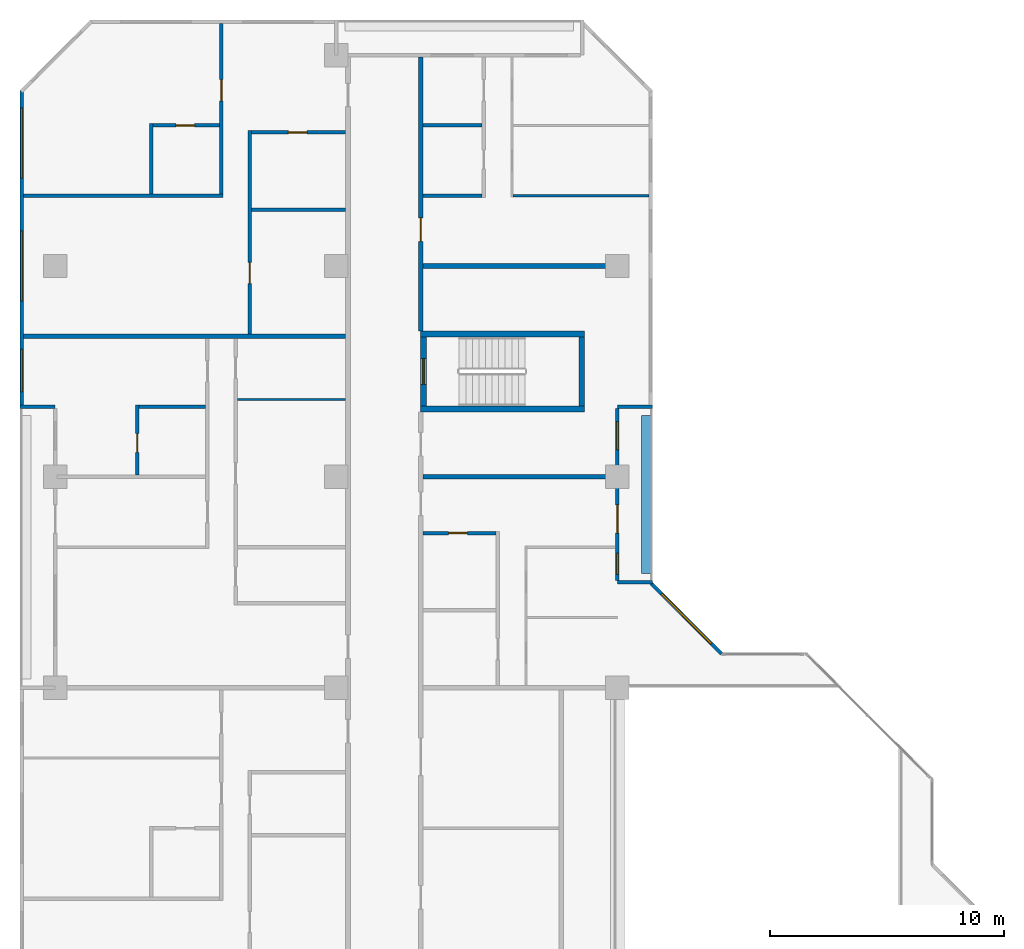
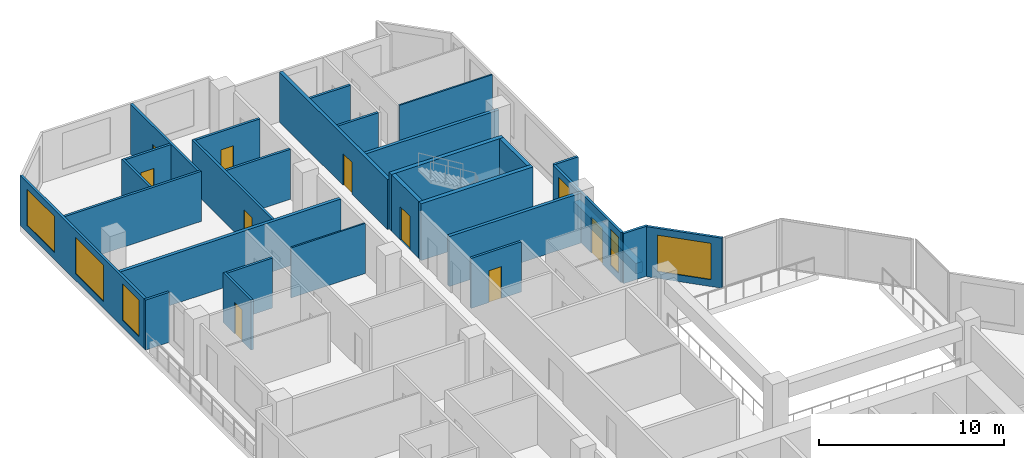
# One storey, part 10 of 15: 29 walls, 9 doors, 6 windows, 15 openings.
"""IFC4 building model written with IfcOpenShell, lengths in metres."""

from ifc_helpers import new_model, si_unit, direction, frame, frame_2d, origin, place, context, subcontext, project, spatial, rectangle, extrude, material, layer, layer_set, type_object, element, fill, save


model = new_model("IFC4")

# Units and contexts
model_context = context("Model", 3, precision=1e-05, world=origin(), true_north=direction((0.0, 1.0)))
body_context = subcontext(model_context, "Body", "Model", "MODEL_VIEW")
ifc_project = project(units=[si_unit("LENGTHUNIT", "METRE"), si_unit("AREAUNIT", "SQUARE_METRE"), si_unit("VOLUMEUNIT", "CUBIC_METRE"), si_unit("PLANEANGLEUNIT", "RADIAN"), si_unit("MASSUNIT", "GRAM", prefix="KILO")], contexts=[model_context])

# Site, building, storey
site_placement = place(None, origin())
site = spatial("IfcSite", under=ifc_project, at=site_placement, CompositionType="ELEMENT")
building_placement = place(site_placement, origin())
building = spatial("IfcBuilding", under=site, at=building_placement, Name="Chenar Terraces", CompositionType="ELEMENT")
storey_placement = place(building_placement, frame((0.0, 0.0, 136.89990234375)))
storey = spatial("IfcBuildingStorey", under=building, at=storey_placement, Name="L32", CompositionType="ELEMENT", Elevation=136.89990234375)

# Walls
ifc_material_1 = material(Name="Concrete C70/85", Category="concrete")
ifc_layer_1 = layer(ifc_material_1, 0.25)
ifc_layer_set_1 = layer_set([ifc_layer_1], Name="Concrete C70/85")
wall_type_1 = type_object("IfcWallType", Name="Core wall 250 Concrete C70/85", PredefinedType="SHEAR", material=ifc_layer_set_1)
for number, where, z_axis, x_axis, name in (
    (1, (15.60009765625, 47.89990234375, 0.0), (0.0, 0.0, 1.0), (1.0, 0.0, 0.0), "Core wall ST4_S L32"),
    (2, (15.60009765625, 51.10009765625, 0.0), (0.0, 0.0, 1.0), (1.0, 0.0, 0.0), "Core wall ST4_N L32"),
):
    element("IfcWall", number, at=place(storey_placement, frame(where, z_axis=z_axis, x_axis=x_axis)), inside=storey, type_object=wall_type_1, Name=name, PredefinedType="SHEAR", context=body_context, shape_type="SweptSolid", body=[
        extrude(rectangle(XDim=7.0, YDim=0.25, at=frame_2d((3.5, 0.0))), origin(), (0.0, 0.0, 1.0), 3.75),
    ])

# Wall, opening, door
wall_1_placement = place(storey_placement, frame((15.72509765625, 48.02490234375, 0.0), z_axis=(0.0, 0.0, 1.0), x_axis=(0.0, 1.0, 0.0)))
wall_1 = element("IfcWall", 3, at=wall_1_placement, inside=storey, type_object=wall_type_1, Name="Core wall ST4_W L32", PredefinedType="SHEAR", context=body_context, shape_type="SweptSolid", body=[
    extrude(rectangle(XDim=2.9501953125, YDim=0.25, at=frame_2d((1.47509765625, 0.0))), origin(), (0.0, 0.0, 1.0), 3.75),
])
opening_1_placement = place(wall_1_placement, frame((0.925048828125, 0.0, 0.0)))
opening_1 = element("IfcOpeningElement", 4, at=opening_1_placement, cuts=wall_1, Name="Opening DL32-C9", PredefinedType="OPENING", context=body_context, shape_type="SweptSolid", body=[
    extrude(rectangle(XDim=1.10009765625, YDim=2.199951171875, at=frame_2d((0.550048828125, 1.10009765625))), frame((0.0, 0.135009765625, 0.0), z_axis=(0.0, -1.0, 0.0), x_axis=(1.0, 0.0, 0.0)), (0.0, 0.0, 1.0), 0.27001953125),
])
ifc_material_2 = material(Name="Steel-framed fire-resisting door leaf", Category="steel")
door_type_1 = type_object("IfcDoorType", Name="Stair fire door FD60 1100 x 2200", OperationType="SINGLE_SWING_LEFT", PredefinedType="DOOR", material=ifc_material_2)
door_1_placement = place(opening_1_placement, frame((1.10009765625, 0.0, 0.0), z_axis=(0.0, 0.0, 1.0), x_axis=(-1.0, 0.0, 0.0)))
door_1 = element("IfcDoor", 5, at=door_1_placement, inside=storey, type_object=door_type_1, Name="Stair door DL32-C9", OperationType="SINGLE_SWING_RIGHT", OverallHeight=2.199951171875, OverallWidth=1.10009765625, PredefinedType="DOOR", context=body_context, shape_type="SweptSolid", body=[
    extrude(rectangle(XDim=1.10009765625, YDim=2.199951171875, at=frame_2d((0.550048828125, 1.10009765625))), frame((0.0, 0.02490234375, 0.0), z_axis=(0.0, -1.0, 0.0), x_axis=(1.0, 0.0, 0.0)), (0.0, 0.0, 1.0), 0.050048828125),
])
fill(opening_1, door_1)

# Wall
wall_2_placement = place(storey_placement, frame((22.47509765625, 48.02490234375, 0.0), z_axis=(0.0, 0.0, 1.0), x_axis=(0.0, 1.0, 0.0)))
element("IfcWall", 6, at=wall_2_placement, inside=storey, type_object=wall_type_1, Name="Core wall ST4_E L32", PredefinedType="SHEAR", context=body_context, shape_type="SweptSolid", body=[
    extrude(rectangle(XDim=2.9501953125, YDim=0.25, at=frame_2d((1.47509765625, 0.0))), origin(), (0.0, 0.0, 1.0), 3.75),
])

# Wall, opening, door
ifc_material_3 = material(Name="Gypsum board on steel studs with fire boards", Category="steel")
ifc_layer_2 = layer(ifc_material_3, 0.199951171875)
ifc_layer_set_2 = layer_set([ifc_layer_2], Name="Gypsum board on steel studs with fire boards")
wall_type_2 = type_object("IfcWallType", Name="Corridor wall 200", PredefinedType="PARTITIONING", material=ifc_layer_set_2)
wall_3_placement = place(storey_placement, frame((15.60009765625, 51.22509765625, 0.0), z_axis=(0.0, 0.0, 1.0), x_axis=(0.0, 1.0, 0.0)))
wall_3 = element("IfcWall", 7, at=wall_3_placement, inside=storey, type_object=wall_type_2, Name="Partition L32-038", PredefinedType="PARTITIONING", context=body_context, shape_type="SweptSolid", body=[
    extrude(rectangle(XDim=11.700927734375, YDim=0.199951171875, at=frame_2d((5.8505859375, 0.0))), origin(), (0.0, 0.0, 1.0), 3.300048828125),
])
opening_2_placement = place(wall_3_placement, frame((3.824951171875, 0.0, 0.0)))
opening_2 = element("IfcOpeningElement", 8, at=opening_2_placement, cuts=wall_3, Name="Opening DL32-37", PredefinedType="OPENING", context=body_context, shape_type="SweptSolid", body=[
    extrude(rectangle(XDim=1.0, YDim=2.10009765625, at=frame_2d((0.5, 1.050048828125))), frame((0.0, 0.10986328125, 0.0), z_axis=(0.0, -1.0, 0.0), x_axis=(1.0, 0.0, 0.0)), (0.0, 0.0, 1.0), 0.219970703125),
])
ifc_material_4 = material(Name="Steel-framed fire-resisting door leaf", Category="steel")
door_type_2 = type_object("IfcDoorType", Name="Fire door FD30S 1000 x 2100", OperationType="SINGLE_SWING_LEFT", PredefinedType="DOOR", material=ifc_material_4)
door_2_placement = place(opening_2_placement, frame((1.0, 0.0, 0.0), z_axis=(0.0, 0.0, 1.0), x_axis=(-1.0, 0.0, 0.0)))
door_2 = element("IfcDoor", 9, at=door_2_placement, inside=storey, type_object=door_type_2, Name="Door DL32-37", OperationType="SINGLE_SWING_LEFT", OverallHeight=2.10009765625, OverallWidth=1.0, PredefinedType="DOOR", context=body_context, shape_type="SweptSolid", body=[
    extrude(rectangle(XDim=1.0, YDim=2.10009765625, at=frame_2d((0.5, 1.050048828125))), frame((0.0, 0.02490234375, 0.0), z_axis=(0.0, -1.0, 0.0), x_axis=(1.0, 0.0, 0.0)), (0.0, 0.0, 1.0), 0.050048828125),
])
fill(opening_2, door_2)

# Wall, openings, windows
ifc_material_5 = material(Name="Aluminium framed glazing", Category="aluminium")
ifc_layer_3 = layer(ifc_material_5, 0.14990234375)
ifc_layer_set_3 = layer_set([ifc_layer_3], Name="Aluminium framed glazing")
wall_type_3 = type_object("IfcWallType", Name="Glazed flush facade wall 150", PredefinedType="SOLIDWALL", material=ifc_layer_set_3)
wall_4_placement = place(storey_placement, frame((-1.425048828125, 61.5, 0.0), z_axis=(0.0, 0.0, 1.0), x_axis=(0.0, -1.0, 0.0)))
wall_4 = element("IfcWall", 10, at=wall_4_placement, inside=storey, type_object=wall_type_3, Name="Glazed flush facade wall", PredefinedType="SOLIDWALL", context=body_context, shape_type="SweptSolid", body=[
    extrude(rectangle(XDim=13.425048828125, YDim=0.14990234375, at=frame_2d((6.71240234375, 0.0))), origin(), (0.0, 0.0, 1.0), 3.300048828125),
])
opening_3_placement = place(wall_4_placement, frame((0.75, 0.0, 0.449951171875)))
opening_3 = element("IfcOpeningElement", 11, at=opening_3_placement, cuts=wall_4, Name="Opening W300x240", PredefinedType="OPENING", context=body_context, shape_type="SweptSolid", body=[
    extrude(rectangle(XDim=3.0, YDim=2.39990234375, at=frame_2d((1.5, 1.199951171875))), frame((0.0, 0.0849609375, 0.0), z_axis=(0.0, -1.0, 0.0), x_axis=(1.0, 0.0, 0.0)), (0.0, 0.0, 1.0), 0.169921875),
])
opening_4_placement = place(wall_4_placement, frame((6.0, 0.0, 0.449951171875)))
opening_4 = element("IfcOpeningElement", 12, at=opening_4_placement, cuts=wall_4, Name="Opening W300x240", PredefinedType="OPENING", context=body_context, shape_type="SweptSolid", body=[
    extrude(rectangle(XDim=3.0, YDim=2.39990234375, at=frame_2d((1.5, 1.199951171875))), frame((0.0, 0.0849609375, 0.0), z_axis=(0.0, -1.0, 0.0), x_axis=(1.0, 0.0, 0.0)), (0.0, 0.0, 1.0), 0.169921875),
])
opening_5_placement = place(wall_4_placement, frame((11.0625, 0.0, 0.449951171875)))
opening_5 = element("IfcOpeningElement", 13, at=opening_5_placement, cuts=wall_4, Name="Opening W180x240", PredefinedType="OPENING", context=body_context, shape_type="SweptSolid", body=[
    extrude(rectangle(XDim=1.800048828125, YDim=2.39990234375, at=frame_2d((0.89990234375, 1.199951171875))), frame((0.0, 0.0849609375, 0.0), z_axis=(0.0, -1.0, 0.0), x_axis=(1.0, 0.0, 0.0)), (0.0, 0.0, 1.0), 0.169921875),
])
ifc_material_6 = material(Name="Low emissivity double glazing, aluminium frame", Category="aluminium")
window_type_1 = type_object("IfcWindowType", Name="Fixed light 1800 x 2400", PartitioningType="SINGLE_PANEL", PredefinedType="WINDOW", material=ifc_material_6)
window_1_placement = place(opening_5_placement, origin())
window_1 = element("IfcWindow", 14, at=window_1_placement, inside=storey, type_object=window_type_1, Name="Window", OverallHeight=2.39990234375, OverallWidth=1.800048828125, PartitioningType="SINGLE_PANEL", PredefinedType="WINDOW", context=body_context, shape_type="SweptSolid", body=[
    extrude(rectangle(XDim=1.800048828125, YDim=2.39990234375, at=frame_2d((0.89990234375, 1.199951171875))), frame((0.0, 0.030029296875, 0.0), z_axis=(0.0, -1.0, 0.0), x_axis=(1.0, 0.0, 0.0)), (0.0, 0.0, 1.0), 0.06005859375),
])
fill(opening_5, window_1)
ifc_material_7 = material(Name="Low emissivity double glazing, aluminium frame", Category="aluminium")
window_type_2 = type_object("IfcWindowType", Name="Fixed light 3000 x 2400", PartitioningType="SINGLE_PANEL", PredefinedType="WINDOW", material=ifc_material_7)
window_2_placement = place(opening_3_placement, origin())
window_2 = element("IfcWindow", 15, at=window_2_placement, inside=storey, type_object=window_type_2, Name="Window", OverallHeight=2.39990234375, OverallWidth=3.0, PartitioningType="SINGLE_PANEL", PredefinedType="WINDOW", context=body_context, shape_type="SweptSolid", body=[
    extrude(rectangle(XDim=3.0, YDim=2.39990234375, at=frame_2d((1.5, 1.199951171875))), frame((0.0, 0.030029296875, 0.0), z_axis=(0.0, -1.0, 0.0), x_axis=(1.0, 0.0, 0.0)), (0.0, 0.0, 1.0), 0.06005859375),
])
fill(opening_3, window_2)
window_3_placement = place(opening_4_placement, origin())
window_3 = element("IfcWindow", 16, at=window_3_placement, inside=storey, type_object=window_type_2, Name="Window", OverallHeight=2.39990234375, OverallWidth=3.0, PartitioningType="SINGLE_PANEL", PredefinedType="WINDOW", context=body_context, shape_type="SweptSolid", body=[
    extrude(rectangle(XDim=3.0, YDim=2.39990234375, at=frame_2d((1.5, 1.199951171875))), frame((0.0, 0.030029296875, 0.0), z_axis=(0.0, -1.0, 0.0), x_axis=(1.0, 0.0, 0.0)), (0.0, 0.0, 1.0), 0.06005859375),
])
fill(opening_4, window_3)

# Wall, openings, windows, door
ifc_material_8 = material(Name="Aluminium framed glazing", Category="aluminium")
ifc_layer_4 = layer(ifc_material_8, 0.14990234375)
ifc_layer_set_4 = layer_set([ifc_layer_4], Name="Aluminium framed glazing")
wall_type_4 = type_object("IfcWallType", Name="Glazed loggia back wall 150", PredefinedType="SOLIDWALL", material=ifc_layer_set_4)
wall_5_placement = place(storey_placement, frame((24.0, 40.574951171875, 0.0), z_axis=(0.0, 0.0, 1.0), x_axis=(0.0, 1.0, 0.0)))
wall_5 = element("IfcWall", 17, at=wall_5_placement, inside=storey, type_object=wall_type_4, Name="Glazed loggia back wall", PredefinedType="SOLIDWALL", context=body_context, shape_type="SweptSolid", body=[
    extrude(rectangle(XDim=7.35009765625, YDim=0.14990234375, at=frame_2d((3.675048828125, 0.0))), origin(), (0.0, 0.0, 1.0), 3.300048828125),
])
opening_6_placement = place(wall_5_placement, frame((0.262451171875, 0.0, 0.449951171875)))
opening_6 = element("IfcOpeningElement", 18, at=opening_6_placement, cuts=wall_5, Name="Opening W90x240", PredefinedType="OPENING", context=body_context, shape_type="SweptSolid", body=[
    extrude(rectangle(XDim=0.89990234375, YDim=2.39990234375, at=frame_2d((0.449951171875, 1.199951171875))), frame((0.0, 0.0849609375, 0.0), z_axis=(0.0, -1.0, 0.0), x_axis=(1.0, 0.0, 0.0)), (0.0, 0.0, 1.0), 0.169921875),
])
opening_7_placement = place(wall_5_placement, frame((2.02490234375, 0.0, 0.0)))
opening_7 = element("IfcOpeningElement", 19, at=opening_7_placement, cuts=wall_5, Name="Opening DL32-G2", PredefinedType="OPENING", context=body_context, shape_type="SweptSolid", body=[
    extrude(rectangle(XDim=1.199951171875, YDim=2.39990234375, at=frame_2d((0.60009765625, 1.199951171875))), frame((0.0, 0.0849609375, 0.0), z_axis=(0.0, -1.0, 0.0), x_axis=(1.0, 0.0, 0.0)), (0.0, 0.0, 1.0), 0.169921875),
])
opening_8_placement = place(wall_5_placement, frame((5.58740234375, 0.0, 0.449951171875)))
opening_8 = element("IfcOpeningElement", 20, at=opening_8_placement, cuts=wall_5, Name="Opening W120x240", PredefinedType="OPENING", context=body_context, shape_type="SweptSolid", body=[
    extrude(rectangle(XDim=1.199951171875, YDim=2.39990234375, at=frame_2d((0.60009765625, 1.199951171875))), frame((0.0, 0.0849609375, 0.0), z_axis=(0.0, -1.0, 0.0), x_axis=(1.0, 0.0, 0.0)), (0.0, 0.0, 1.0), 0.169921875),
])
ifc_material_9 = material(Name="Low emissivity double glazing, aluminium frame", Category="aluminium")
window_type_3 = type_object("IfcWindowType", Name="Fixed light 1200 x 2400", PartitioningType="SINGLE_PANEL", PredefinedType="WINDOW", material=ifc_material_9)
window_4_placement = place(opening_8_placement, origin())
window_4 = element("IfcWindow", 21, at=window_4_placement, inside=storey, type_object=window_type_3, Name="Window", OverallHeight=2.39990234375, OverallWidth=1.199951171875, PartitioningType="SINGLE_PANEL", PredefinedType="WINDOW", context=body_context, shape_type="SweptSolid", body=[
    extrude(rectangle(XDim=1.199951171875, YDim=2.39990234375, at=frame_2d((0.60009765625, 1.199951171875))), frame((0.0, 0.030029296875, 0.0), z_axis=(0.0, -1.0, 0.0), x_axis=(1.0, 0.0, 0.0)), (0.0, 0.0, 1.0), 0.06005859375),
])
fill(opening_8, window_4)
ifc_material_10 = material(Name="Low emissivity double glazing, aluminium frame", Category="aluminium")
window_type_4 = type_object("IfcWindowType", Name="Fixed light 900 x 2400", PartitioningType="SINGLE_PANEL", PredefinedType="WINDOW", material=ifc_material_10)
window_5_placement = place(opening_6_placement, origin())
window_5 = element("IfcWindow", 22, at=window_5_placement, inside=storey, type_object=window_type_4, Name="Window", OverallHeight=2.39990234375, OverallWidth=0.89990234375, PartitioningType="SINGLE_PANEL", PredefinedType="WINDOW", context=body_context, shape_type="SweptSolid", body=[
    extrude(rectangle(XDim=0.89990234375, YDim=2.39990234375, at=frame_2d((0.449951171875, 1.199951171875))), frame((0.0, 0.030029296875, 0.0), z_axis=(0.0, -1.0, 0.0), x_axis=(1.0, 0.0, 0.0)), (0.0, 0.0, 1.0), 0.06005859375),
])
fill(opening_6, window_5)
ifc_material_11 = material(Name="Low emissivity double glazing, aluminium frame", Category="aluminium")
door_type_3 = type_object("IfcDoorType", Name="Loggia glazed double door 1200 x 2400", OperationType="DOUBLE_DOOR_SINGLE_SWING", PredefinedType="DOOR", material=ifc_material_11)
door_3_placement = place(opening_7_placement, frame((1.199951171875, 0.0, 0.0), z_axis=(0.0, 0.0, 1.0), x_axis=(-1.0, 0.0, 0.0)))
door_3 = element("IfcDoor", 23, at=door_3_placement, inside=storey, type_object=door_type_3, Name="Loggia glazed door", OperationType="DOUBLE_DOOR_SINGLE_SWING", OverallHeight=2.39990234375, OverallWidth=1.199951171875, PredefinedType="DOOR", context=body_context, shape_type="SweptSolid", body=[
    extrude(rectangle(XDim=1.199951171875, YDim=2.39990234375, at=frame_2d((0.60009765625, 1.199951171875))), frame((0.0, 0.02490234375, 0.0), z_axis=(0.0, -1.0, 0.0), x_axis=(1.0, 0.0, 0.0)), (0.0, 0.0, 1.0), 0.050048828125),
])
fill(opening_7, door_3)

# Walls
ifc_material_12 = material(Name="Gypsum board on steel studs", Category="steel")
ifc_layer_5 = layer(ifc_material_12, 0.10009765625)
ifc_layer_set_5 = layer_set([ifc_layer_5], Name="Gypsum board on steel studs")
wall_type_5 = type_object("IfcWallType", Name="Gypsum partition 100", PredefinedType="PARTITIONING", material=ifc_layer_set_5)
wall_6_placement = place(storey_placement, frame((7.77490234375, 48.300048828125, 0.0), z_axis=(0.0, 0.0, 1.0), x_axis=(1.0, 0.0, 0.0)))
element("IfcWall", 24, at=wall_6_placement, inside=storey, type_object=wall_type_5, Name="Partition L32-023", PredefinedType="PARTITIONING", context=body_context, shape_type="SweptSolid", body=[
    extrude(rectangle(XDim=4.625, YDim=0.10009765625, at=frame_2d((2.3125, 0.0))), origin(), (0.0, 0.0, 1.0), 3.300048828125),
])
wall_7_placement = place(storey_placement, frame((19.550048828125, 57.0, 0.0), z_axis=(0.0, 0.0, 1.0), x_axis=(1.0, 0.0, 0.0)))
element("IfcWall", 25, at=wall_7_placement, inside=storey, type_object=wall_type_5, Name="Partition L32-052", PredefinedType="PARTITIONING", context=body_context, shape_type="SweptSolid", body=[
    extrude(rectangle(XDim=5.800048828125, YDim=0.10009765625, at=frame_2d((2.89990234375, 0.0))), origin(), (0.0, 0.0, 1.0), 3.300048828125),
])
ifc_material_13 = material(Name="Terracotta cladding on insulated backing", Category="masonry")
ifc_layer_6 = layer(ifc_material_13, 0.14990234375)
ifc_layer_set_6 = layer_set([ifc_layer_6], Name="Terracotta cladding on insulated backing")
wall_type_6 = type_object("IfcWallType", Name="Loggia return wall 150", PredefinedType="SOLIDWALL", material=ifc_layer_set_6)
for number, where, z_axis, x_axis, name in (
    (26, (25.5, 40.5, 0.0), (0.0, 0.0, 1.0), (-1.0, 0.0, 0.0), "Loggia return wall"),
    (27, (25.5, 48.0, 0.0), (0.0, 0.0, 1.0), (-1.0, 0.0, 0.0), "Loggia return wall"),
    (28, (-1.5, 48.0, 0.0), (0.0, 0.0, 1.0), (1.0, 0.0, 0.0), "Loggia return wall"),
):
    element("IfcWall", number, at=place(storey_placement, frame(where, z_axis=z_axis, x_axis=x_axis)), inside=storey, type_object=wall_type_6, Name=name, PredefinedType="SOLIDWALL", context=body_context, shape_type="SweptSolid", body=[
        extrude(rectangle(XDim=1.5, YDim=0.14990234375, at=frame_2d((0.75, 0.0))), origin(), (0.0, 0.0, 1.0), 3.300048828125),
    ])

# Wall, opening, window
ifc_material_14 = material(Name="Terracotta cladding on insulated backing", Category="masonry")
ifc_layer_7 = layer(ifc_material_14, 0.14990234375)
ifc_layer_set_7 = layer_set([ifc_layer_7], Name="Terracotta cladding on insulated backing")
wall_type_7 = type_object("IfcWallType", Name="Terracotta rainscreen wall 150", PredefinedType="SOLIDWALL", material=ifc_layer_set_7)
wall_8_placement = place(storey_placement, frame((28.447021484375, 37.447021484375, 0.0), z_axis=(0.0, 0.0, 1.0), x_axis=(-0.707106781187, 0.707106781187, 0.0)))
wall_8 = element("IfcWall", 29, at=wall_8_placement, inside=storey, type_object=wall_type_7, Name="Terracotta rainscreen wall", PredefinedType="SOLIDWALL", context=body_context, shape_type="SweptSolid", body=[
    extrude(rectangle(XDim=4.24267578125, YDim=0.14990234375, at=frame_2d((2.121337890625, 0.0))), origin(), (0.0, 0.0, 1.0), 3.300048828125),
])
opening_9_placement = place(wall_8_placement, frame((0.621337890625, 0.0, 0.449951171875)))
opening_9 = element("IfcOpeningElement", 30, at=opening_9_placement, cuts=wall_8, Name="Opening W300x240", PredefinedType="OPENING", context=body_context, shape_type="SweptSolid", body=[
    extrude(rectangle(XDim=3.0, YDim=2.39990234375, at=frame_2d((1.5, 1.199951171875))), frame((0.0, 0.0849609375, 0.0), z_axis=(0.0, -1.0, 0.0), x_axis=(1.0, 0.0, 0.0)), (0.0, 0.0, 1.0), 0.169921875),
])
window_6_placement = place(opening_9_placement, origin())
window_6 = element("IfcWindow", 31, at=window_6_placement, inside=storey, type_object=window_type_2, Name="Window", OverallHeight=2.39990234375, OverallWidth=3.0, PartitioningType="SINGLE_PANEL", PredefinedType="WINDOW", context=body_context, shape_type="SweptSolid", body=[
    extrude(rectangle(XDim=3.0, YDim=2.39990234375, at=frame_2d((1.5, 1.199951171875))), frame((0.0, 0.030029296875, 0.0), z_axis=(0.0, -1.0, 0.0), x_axis=(1.0, 0.0, 0.0)), (0.0, 0.0, 1.0), 0.06005859375),
])
fill(opening_9, window_6)

# Walls
ifc_material_15 = material(Name="Twin gypsum board on steel studs with mineral wool", Category="steel")
ifc_layer_8 = layer(ifc_material_15, 0.199951171875)
ifc_layer_set_8 = layer_set([ifc_layer_8], Name="Twin gypsum board on steel studs with mineral wool")
wall_type_8 = type_object("IfcWallType", Name="Unit demising wall 200", PredefinedType="PARTITIONING", material=ifc_layer_set_8)
wall_9_placement = place(storey_placement, frame((-1.35009765625, 51.0, 0.0), z_axis=(0.0, 0.0, 1.0), x_axis=(1.0, 0.0, 0.0)))
element("IfcWall", 32, at=wall_9_placement, inside=storey, type_object=wall_type_8, Name="Partition L32-004", PredefinedType="PARTITIONING", context=body_context, shape_type="SweptSolid", body=[
    extrude(rectangle(XDim=13.75, YDim=0.199951171875, at=frame_2d((6.875, 0.0))), origin(), (0.0, 0.0, 1.0), 3.300048828125),
])
wall_10_placement = place(storey_placement, frame((15.699951171875, 45.0, 0.0), z_axis=(0.0, 0.0, 1.0), x_axis=(1.0, 0.0, 0.0)))
element("IfcWall", 33, at=wall_10_placement, inside=storey, type_object=wall_type_8, Name="Partition L32-044", PredefinedType="PARTITIONING", context=body_context, shape_type="SweptSolid", body=[
    extrude(rectangle(XDim=8.22607421875, YDim=0.199951171875, at=frame_2d((4.113037109375, 0.0))), origin(), (0.0, 0.0, 1.0), 3.300048828125),
])
wall_11_placement = place(storey_placement, frame((15.699951171875, 54.0, 0.0), z_axis=(0.0, 0.0, 1.0), x_axis=(1.0, 0.0, 0.0)))
element("IfcWall", 34, at=wall_11_placement, inside=storey, type_object=wall_type_8, Name="Partition L32-045", PredefinedType="PARTITIONING", context=body_context, shape_type="SweptSolid", body=[
    extrude(rectangle(XDim=8.300048828125, YDim=0.199951171875, at=frame_2d((4.14990234375, 0.0))), origin(), (0.0, 0.0, 1.0), 3.300048828125),
])
ifc_material_16 = material(Name="GRP planter trough")
ifc_layer_9 = layer(ifc_material_16, 0.39990234375)
ifc_layer_set_9 = layer_set([ifc_layer_9], Name="GRP planter trough")
wall_type_9 = type_object("IfcWallType", Name="Vertical greenery planter 400", PredefinedType="SOLIDWALL", material=ifc_layer_set_9)
wall_12_placement = place(storey_placement, frame((25.22900390625, 40.875, 0.0), z_axis=(0.0, 0.0, 1.0), x_axis=(0.0, 1.0, 0.0)))
element("IfcWall", 35, at=wall_12_placement, inside=storey, type_object=wall_type_9, Name="Vertical greenery planter", PredefinedType="SOLIDWALL", context=body_context, shape_type="SweptSolid", body=[
    extrude(rectangle(XDim=6.75, YDim=0.39990234375, at=frame_2d((3.375, 0.0))), origin(), (0.0, 0.0, 1.0), 0.7001953125),
])
ifc_material_17 = material(Name="Moisture-resistant gypsum board on steel studs", Category="steel")
ifc_layer_10 = layer(ifc_material_17, 0.14990234375)
ifc_layer_set_10 = layer_set([ifc_layer_10], Name="Moisture-resistant gypsum board on steel studs")
wall_type_10 = type_object("IfcWallType", Name="Wet-room partition 150", PredefinedType="PARTITIONING", material=ifc_layer_set_10)
wall_13_placement = place(storey_placement, frame((-1.35009765625, 57.0, 0.0), z_axis=(0.0, 0.0, 1.0), x_axis=(1.0, 0.0, 0.0)))
element("IfcWall", 36, at=wall_13_placement, inside=storey, type_object=wall_type_10, Name="Partition L32-005", PredefinedType="PARTITIONING", context=body_context, shape_type="SweptSolid", body=[
    extrude(rectangle(XDim=8.525146484375, YDim=0.14990234375, at=frame_2d((4.2626953125, 0.0))), origin(), (0.0, 0.0, 1.0), 3.300048828125),
])

# Wall, opening, door
wall_14_placement = place(storey_placement, frame((3.5, 45.074951171875, 0.0), z_axis=(0.0, 0.0, 1.0), x_axis=(0.0, 1.0, 0.0)))
wall_14 = element("IfcWall", 37, at=wall_14_placement, inside=storey, type_object=wall_type_10, Name="Partition L32-011", PredefinedType="PARTITIONING", context=body_context, shape_type="SweptSolid", body=[
    extrude(rectangle(XDim=3.0, YDim=0.14990234375, at=frame_2d((1.5, 0.0))), origin(), (0.0, 0.0, 1.0), 3.300048828125),
])
opening_10_placement = place(wall_14_placement, frame((0.97509765625, 0.0, 0.0)))
opening_10 = element("IfcOpeningElement", 38, at=opening_10_placement, cuts=wall_14, Name="Opening DL32-41", PredefinedType="OPENING", context=body_context, shape_type="SweptSolid", body=[
    extrude(rectangle(XDim=0.800048828125, YDim=2.10009765625, at=frame_2d((0.39990234375, 1.050048828125))), frame((0.0, 0.0849609375, 0.0), z_axis=(0.0, -1.0, 0.0), x_axis=(1.0, 0.0, 0.0)), (0.0, 0.0, 1.0), 0.169921875),
])
ifc_material_18 = material(Name="Veneered timber door leaf", Category="wood")
door_type_4 = type_object("IfcDoorType", Name="Door 800 x 2100", OperationType="SINGLE_SWING_LEFT", PredefinedType="DOOR", material=ifc_material_18)
door_4_placement = place(opening_10_placement, frame((0.800048828125, 0.0, 0.0), z_axis=(0.0, 0.0, 1.0), x_axis=(-1.0, 0.0, 0.0)))
door_4 = element("IfcDoor", 39, at=door_4_placement, inside=storey, type_object=door_type_4, Name="Door DL32-41", OperationType="SINGLE_SWING_RIGHT", OverallHeight=2.10009765625, OverallWidth=0.800048828125, PredefinedType="DOOR", context=body_context, shape_type="SweptSolid", body=[
    extrude(rectangle(XDim=0.800048828125, YDim=2.10009765625, at=frame_2d((0.39990234375, 1.050048828125))), frame((0.0, 0.02490234375, 0.0), z_axis=(0.0, -1.0, 0.0), x_axis=(1.0, 0.0, 0.0)), (0.0, 0.0, 1.0), 0.050048828125),
])
fill(opening_10, door_4)

# Walls
wall_15_placement = place(storey_placement, frame((3.574951171875, 48.0, 0.0), z_axis=(0.0, 0.0, 1.0), x_axis=(1.0, 0.0, 0.0)))
element("IfcWall", 40, at=wall_15_placement, inside=storey, type_object=wall_type_10, Name="Partition L32-012", PredefinedType="PARTITIONING", context=body_context, shape_type="SweptSolid", body=[
    extrude(rectangle(XDim=2.85009765625, YDim=0.14990234375, at=frame_2d((1.425048828125, 0.0))), origin(), (0.0, 0.0, 1.0), 3.300048828125),
])
wall_16_placement = place(storey_placement, frame((4.10009765625, 57.074951171875, 0.0), z_axis=(0.0, 0.0, 1.0), x_axis=(0.0, 1.0, 0.0)))
element("IfcWall", 41, at=wall_16_placement, inside=storey, type_object=wall_type_10, Name="Partition L32-014", PredefinedType="PARTITIONING", context=body_context, shape_type="SweptSolid", body=[
    extrude(rectangle(XDim=3.0, YDim=0.14990234375, at=frame_2d((1.5, 0.0))), origin(), (0.0, 0.0, 1.0), 3.300048828125),
])

# Wall, opening, door
wall_17_placement = place(storey_placement, frame((4.175048828125, 60.0, 0.0), z_axis=(0.0, 0.0, 1.0), x_axis=(1.0, 0.0, 0.0)))
wall_17 = element("IfcWall", 42, at=wall_17_placement, inside=storey, type_object=wall_type_10, Name="Partition L32-016", PredefinedType="PARTITIONING", context=body_context, shape_type="SweptSolid", body=[
    extrude(rectangle(XDim=2.849853515625, YDim=0.14990234375, at=frame_2d((1.4248046875, 0.0))), origin(), (0.0, 0.0, 1.0), 3.300048828125),
])
opening_11_placement = place(wall_17_placement, frame((0.97509765625, 0.0, 0.0)))
opening_11 = element("IfcOpeningElement", 43, at=opening_11_placement, cuts=wall_17, Name="Opening DL32-47", PredefinedType="OPENING", context=body_context, shape_type="SweptSolid", body=[
    extrude(rectangle(XDim=0.800048828125, YDim=2.10009765625, at=frame_2d((0.39990234375, 1.050048828125))), frame((0.0, 0.0849609375, 0.0), z_axis=(0.0, -1.0, 0.0), x_axis=(1.0, 0.0, 0.0)), (0.0, 0.0, 1.0), 0.169921875),
])
door_5_placement = place(opening_11_placement, frame((0.800048828125, 0.0, 0.0), z_axis=(0.0, 0.0, 1.0), x_axis=(-1.0, 0.0, 0.0)))
door_5 = element("IfcDoor", 44, at=door_5_placement, inside=storey, type_object=door_type_4, Name="Door DL32-47", OperationType="SINGLE_SWING_RIGHT", OverallHeight=2.10009765625, OverallWidth=0.800048828125, PredefinedType="DOOR", context=body_context, shape_type="SweptSolid", body=[
    extrude(rectangle(XDim=0.800048828125, YDim=2.10009765625, at=frame_2d((0.39990234375, 1.050048828125))), frame((0.0, 0.02490234375, 0.0), z_axis=(0.0, -1.0, 0.0), x_axis=(1.0, 0.0, 0.0)), (0.0, 0.0, 1.0), 0.050048828125),
])
fill(opening_11, door_5)

wall_18_placement = place(storey_placement, frame((7.10009765625, 57.074951171875, 0.0), z_axis=(0.0, 0.0, 1.0), x_axis=(0.0, 1.0, 0.0)))
wall_18 = element("IfcWall", 45, at=wall_18_placement, inside=storey, type_object=wall_type_10, Name="Partition L32-019", PredefinedType="PARTITIONING", context=body_context, shape_type="SweptSolid", body=[
    extrude(rectangle(XDim=7.275146484375, YDim=0.14990234375, at=frame_2d((3.6376953125, 0.0))), origin(), (0.0, 0.0, 1.0), 3.300048828125),
])
opening_12_placement = place(wall_18_placement, frame((3.97509765625, 0.0, 0.0)))
opening_12 = element("IfcOpeningElement", 46, at=opening_12_placement, cuts=wall_18, Name="Opening DL32-46", PredefinedType="OPENING", context=body_context, shape_type="SweptSolid", body=[
    extrude(rectangle(XDim=0.89990234375, YDim=2.10009765625, at=frame_2d((0.449951171875, 1.050048828125))), frame((0.0, 0.0849609375, 0.0), z_axis=(0.0, -1.0, 0.0), x_axis=(1.0, 0.0, 0.0)), (0.0, 0.0, 1.0), 0.169921875),
])
ifc_material_19 = material(Name="Veneered timber door leaf", Category="wood")
door_type_5 = type_object("IfcDoorType", Name="Door 900 x 2100", OperationType="SINGLE_SWING_LEFT", PredefinedType="DOOR", material=ifc_material_19)
door_6_placement = place(opening_12_placement, origin())
door_6 = element("IfcDoor", 47, at=door_6_placement, inside=storey, type_object=door_type_5, Name="Door DL32-46", OperationType="SINGLE_SWING_LEFT", OverallHeight=2.10009765625, OverallWidth=0.89990234375, PredefinedType="DOOR", context=body_context, shape_type="SweptSolid", body=[
    extrude(rectangle(XDim=0.89990234375, YDim=2.10009765625, at=frame_2d((0.449951171875, 1.050048828125))), frame((0.0, 0.02490234375, 0.0), z_axis=(0.0, -1.0, 0.0), x_axis=(1.0, 0.0, 0.0)), (0.0, 0.0, 1.0), 0.050048828125),
])
fill(opening_12, door_6)

wall_19_placement = place(storey_placement, frame((8.300048828125, 51.10009765625, 0.0), z_axis=(0.0, 0.0, 1.0), x_axis=(0.0, 1.0, 0.0)))
wall_19 = element("IfcWall", 48, at=wall_19_placement, inside=storey, type_object=wall_type_10, Name="Partition L32-025", PredefinedType="PARTITIONING", context=body_context, shape_type="SweptSolid", body=[
    extrude(rectangle(XDim=8.6748046875, YDim=0.14990234375, at=frame_2d((4.33740234375, 0.0))), origin(), (0.0, 0.0, 1.0), 3.300048828125),
])
opening_13_placement = place(wall_19_placement, frame((2.14990234375, 0.0, 0.0)))
opening_13 = element("IfcOpeningElement", 49, at=opening_13_placement, cuts=wall_19, Name="Opening DL32-48", PredefinedType="OPENING", context=body_context, shape_type="SweptSolid", body=[
    extrude(rectangle(XDim=0.89990234375, YDim=2.10009765625, at=frame_2d((0.449951171875, 1.050048828125))), frame((0.0, 0.0849609375, 0.0), z_axis=(0.0, -1.0, 0.0), x_axis=(1.0, 0.0, 0.0)), (0.0, 0.0, 1.0), 0.169921875),
])
door_7_placement = place(opening_13_placement, frame((0.89990234375, 0.0, 0.0), z_axis=(0.0, 0.0, 1.0), x_axis=(-1.0, 0.0, 0.0)))
door_7 = element("IfcDoor", 50, at=door_7_placement, inside=storey, type_object=door_type_5, Name="Door DL32-48", OperationType="SINGLE_SWING_LEFT", OverallHeight=2.10009765625, OverallWidth=0.89990234375, PredefinedType="DOOR", context=body_context, shape_type="SweptSolid", body=[
    extrude(rectangle(XDim=0.89990234375, YDim=2.10009765625, at=frame_2d((0.449951171875, 1.050048828125))), frame((0.0, 0.02490234375, 0.0), z_axis=(0.0, -1.0, 0.0), x_axis=(1.0, 0.0, 0.0)), (0.0, 0.0, 1.0), 0.050048828125),
])
fill(opening_13, door_7)

# Wall
wall_20_placement = place(storey_placement, frame((8.375, 56.39990234375, 0.0), z_axis=(0.0, 0.0, 1.0), x_axis=(1.0, 0.0, 0.0)))
element("IfcWall", 51, at=wall_20_placement, inside=storey, type_object=wall_type_10, Name="Partition L32-028", PredefinedType="PARTITIONING", context=body_context, shape_type="SweptSolid", body=[
    extrude(rectangle(XDim=4.02490234375, YDim=0.14990234375, at=frame_2d((2.012451171875, 0.0))), origin(), (0.0, 0.0, 1.0), 3.300048828125),
])

# Wall, opening, door
wall_21_placement = place(storey_placement, frame((8.375, 59.699951171875, 0.0), z_axis=(0.0, 0.0, 1.0), x_axis=(1.0, 0.0, 0.0)))
wall_21 = element("IfcWall", 52, at=wall_21_placement, inside=storey, type_object=wall_type_10, Name="Partition L32-029", PredefinedType="PARTITIONING", context=body_context, shape_type="SweptSolid", body=[
    extrude(rectangle(XDim=4.02490234375, YDim=0.14990234375, at=frame_2d((2.012451171875, 0.0))), origin(), (0.0, 0.0, 1.0), 3.300048828125),
])
opening_14_placement = place(wall_21_placement, frame((1.574951171875, 0.0, 0.0)))
opening_14 = element("IfcOpeningElement", 53, at=opening_14_placement, cuts=wall_21, Name="Opening DL32-45", PredefinedType="OPENING", context=body_context, shape_type="SweptSolid", body=[
    extrude(rectangle(XDim=0.800048828125, YDim=2.10009765625, at=frame_2d((0.39990234375, 1.050048828125))), frame((0.0, 0.0849609375, 0.0), z_axis=(0.0, -1.0, 0.0), x_axis=(1.0, 0.0, 0.0)), (0.0, 0.0, 1.0), 0.169921875),
])
door_8_placement = place(opening_14_placement, frame((0.800048828125, 0.0, 0.0), z_axis=(0.0, 0.0, 1.0), x_axis=(-1.0, 0.0, 0.0)))
door_8 = element("IfcDoor", 54, at=door_8_placement, inside=storey, type_object=door_type_4, Name="Door DL32-45", OperationType="SINGLE_SWING_LEFT", OverallHeight=2.10009765625, OverallWidth=0.800048828125, PredefinedType="DOOR", context=body_context, shape_type="SweptSolid", body=[
    extrude(rectangle(XDim=0.800048828125, YDim=2.10009765625, at=frame_2d((0.39990234375, 1.050048828125))), frame((0.0, 0.02490234375, 0.0), z_axis=(0.0, -1.0, 0.0), x_axis=(1.0, 0.0, 0.0)), (0.0, 0.0, 1.0), 0.050048828125),
])
fill(opening_14, door_8)

wall_22_placement = place(storey_placement, frame((15.699951171875, 42.60009765625, 0.0), z_axis=(0.0, 0.0, 1.0), x_axis=(1.0, 0.0, 0.0)))
wall_22 = element("IfcWall", 55, at=wall_22_placement, inside=storey, type_object=wall_type_10, Name="Partition L32-043", PredefinedType="PARTITIONING", context=body_context, shape_type="SweptSolid", body=[
    extrude(rectangle(XDim=3.125, YDim=0.14990234375, at=frame_2d((1.5625, 0.0))), origin(), (0.0, 0.0, 1.0), 3.300048828125),
])
opening_15_placement = place(wall_22_placement, frame((1.10009765625, 0.0, 0.0)))
opening_15 = element("IfcOpeningElement", 56, at=opening_15_placement, cuts=wall_22, Name="Opening DL32-28", PredefinedType="OPENING", context=body_context, shape_type="SweptSolid", body=[
    extrude(rectangle(XDim=0.800048828125, YDim=2.10009765625, at=frame_2d((0.39990234375, 1.050048828125))), frame((0.0, 0.0849609375, 0.0), z_axis=(0.0, -1.0, 0.0), x_axis=(1.0, 0.0, 0.0)), (0.0, 0.0, 1.0), 0.169921875),
])
door_9_placement = place(opening_15_placement, frame((0.800048828125, 0.0, 0.0), z_axis=(0.0, 0.0, 1.0), x_axis=(-1.0, 0.0, 0.0)))
door_9 = element("IfcDoor", 57, at=door_9_placement, inside=storey, type_object=door_type_4, Name="Door DL32-28", OperationType="SINGLE_SWING_RIGHT", OverallHeight=2.10009765625, OverallWidth=0.800048828125, PredefinedType="DOOR", context=body_context, shape_type="SweptSolid", body=[
    extrude(rectangle(XDim=0.800048828125, YDim=2.10009765625, at=frame_2d((0.39990234375, 1.050048828125))), frame((0.0, 0.02490234375, 0.0), z_axis=(0.0, -1.0, 0.0), x_axis=(1.0, 0.0, 0.0)), (0.0, 0.0, 1.0), 0.050048828125),
])
fill(opening_15, door_9)

# Walls
for number, where, z_axis, x_axis, name in (
    (58, (15.699951171875, 57.0, 0.0), (0.0, 0.0, 1.0), (1.0, 0.0, 0.0), "Partition L32-046"),
    (59, (15.699951171875, 60.0, 0.0), (0.0, 0.0, 1.0), (1.0, 0.0, 0.0), "Partition L32-047"),
):
    element("IfcWall", number, at=place(storey_placement, frame(where, z_axis=z_axis, x_axis=x_axis)), inside=storey, type_object=wall_type_10, Name=name, PredefinedType="PARTITIONING", context=body_context, shape_type="SweptSolid", body=[
        extrude(rectangle(XDim=2.525146484375, YDim=0.14990234375, at=frame_2d((1.2626953125, 0.0))), origin(), (0.0, 0.0, 1.0), 3.300048828125),
    ])

save(model, "model.ifc")
